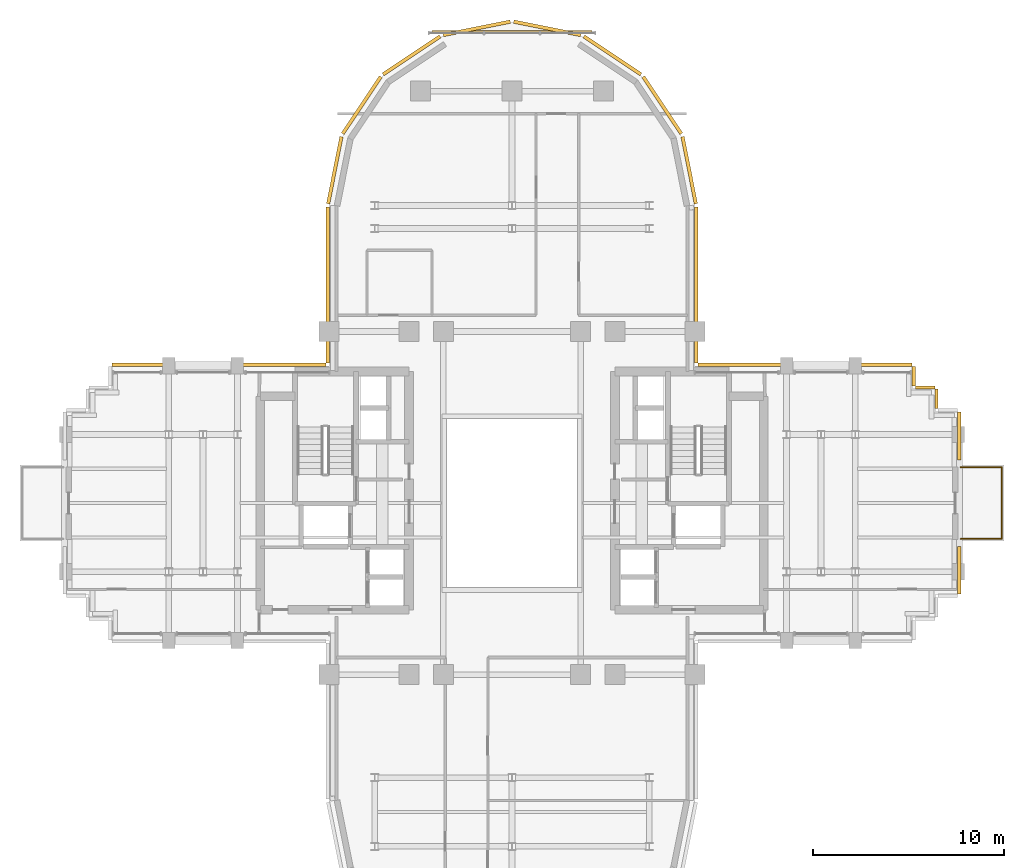
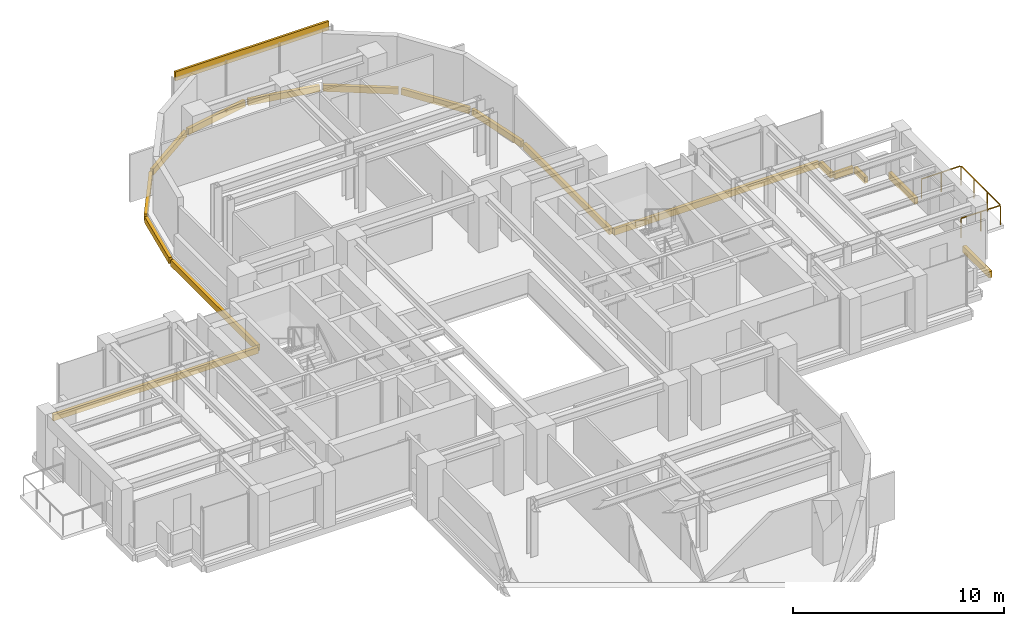
# One storey, part 13 of 13: 18 coverings, 1 railing.
"""IFC4 building model written with IfcOpenShell, lengths in metres."""

from ifc_helpers import new_model, si_unit, direction, frame, origin, origin_2d, place, context, subcontext, project, spatial, rectangle, extrude, source, transform, mapped, material, layer, layer_set, type_object, element, save


model = new_model("IFC4")

# Units and contexts
model_context = context("Model", 3, precision=1e-05, world=origin(), true_north=direction((0.0, 1.0)))
body_context = subcontext(model_context, "Body", "Model", "MODEL_VIEW")
ifc_project = project(units=[si_unit("LENGTHUNIT", "METRE"), si_unit("AREAUNIT", "SQUARE_METRE"), si_unit("VOLUMEUNIT", "CUBIC_METRE"), si_unit("PLANEANGLEUNIT", "RADIAN"), si_unit("MASSUNIT", "GRAM", prefix="KILO")], contexts=[model_context])

# Site, building, storey
site_placement = place(None, origin())
site = spatial("IfcSite", under=ifc_project, at=site_placement, CompositionType="ELEMENT")
building_placement = place(site_placement, origin())
building = spatial("IfcBuilding", under=site, at=building_placement, Name="Keilestroom Media Tower", CompositionType="ELEMENT")
storey_placement = place(building_placement, frame((0.0, 0.0, 100.60009765625)))
storey = spatial("IfcBuildingStorey", under=building, at=storey_placement, Name="L26", CompositionType="ELEMENT", Elevation=100.60009765625)

# Railing
ifc_material_1 = material(Name="Laminated Safety Glass & Stainless Steel", Category="steel")
railing_type = type_object("IfcRailingType", Name="Terrace-And-Atrium-Guard-Balustrade-GD-EXT", PredefinedType="BALUSTRADE", material=ifc_material_1)
railing_placement = place(storey_placement, frame((23.52001953125, -1.8798828125, 0.0)))
element("IfcRailing", 1, at=railing_placement, inside=storey, type_object=railing_type, Name="L26 Terrace Perimeter Guard L26-E", PredefinedType="BALUSTRADE", context=body_context, shape_type="SweptSolid", body=[
    extrude(rectangle(XDim=0.048095703125, YDim=0.048095703125, at=origin_2d()), frame((0.0, 0.0, 1.1259765625), z_axis=(1.0, 0.0, 0.0), x_axis=(0.0, 1.0, 0.0)), (0.0, 0.0, 1.0), 2.11181640625),
    extrude(rectangle(XDim=0.048095703125, YDim=0.048095703125, at=origin_2d()), frame((2.159912109375, 0.048095703125, 1.1259765625), z_axis=(0.0, 1.0, 0.0), x_axis=(-1.0, 0.0, 0.0)), (0.0, 0.0, 1.0), 3.66357421875),
    extrude(rectangle(XDim=0.048095703125, YDim=0.048095703125, at=origin_2d()), frame((2.11181640625, 3.759765625, 1.1259765625), z_axis=(-1.0, 0.0, 0.0), x_axis=(0.0, -1.0, 0.0)), (0.0, 0.0, 1.0), 2.11181640625),
    extrude(rectangle(XDim=0.0419921875, YDim=0.0419921875, at=origin_2d()), origin(), (0.0, 0.0, 1.0), 1.09375),
    extrude(rectangle(XDim=0.0419921875, YDim=0.0419921875, at=origin_2d()), frame((1.080078125, 0.0, 0.0)), (0.0, 0.0, 1.0), 1.09375),
    extrude(rectangle(XDim=0.0419921875, YDim=0.0419921875, at=origin_2d()), frame((2.159912109375, 0.0, 0.0)), (0.0, 0.0, 1.0), 1.09375),
    extrude(rectangle(XDim=0.0419921875, YDim=0.0419921875, at=origin_2d()), frame((2.159912109375, 1.253173828125, 0.0)), (0.0, 0.0, 1.0), 1.09375),
    extrude(rectangle(XDim=0.0419921875, YDim=0.0419921875, at=origin_2d()), frame((2.159912109375, 2.506591796875, 0.0)), (0.0, 0.0, 1.0), 1.09375),
    extrude(rectangle(XDim=0.0419921875, YDim=0.0419921875, at=origin_2d()), frame((2.159912109375, 3.759765625, 0.0)), (0.0, 0.0, 1.0), 1.09375),
    extrude(rectangle(XDim=0.0419921875, YDim=0.0419921875, at=origin_2d()), frame((1.080078125, 3.759765625, 0.0)), (0.0, 0.0, 1.0), 1.09375),
    extrude(rectangle(XDim=0.0419921875, YDim=0.0419921875, at=origin_2d()), frame((0.0, 3.759765625, 0.0)), (0.0, 0.0, 1.0), 1.09375),
])

# Coverings
ifc_material_2 = material(Name="Precast concrete C40/50", Category="concrete")
ifc_layer = layer(ifc_material_2, 0.1201171875)
ifc_layer_set = layer_set([ifc_layer], Name="Precast concrete C40/50")
covering_type = type_object("IfcCoveringType", Name="Exterior-Precast-Spandrel-Cladding-Panel-120", PredefinedType="CLADDING", material=ifc_layer_set)
shared_shape_1 = source(origin(), body_context, "Body", "SweptSolid", [
    extrude(rectangle(XDim=8.39990234375, YDim=0.1201171875, at=origin_2d()), origin(), (0.0, 0.0, 1.0), 0.52001953125),
])
covering_placement = place(storey_placement, frame((0.0, 24.719970703125, 2.68994140625), z_axis=(0.0, 0.0, 1.0), x_axis=(1.0, 0.0, 0.0)))
element("IfcCovering", 2, at=covering_placement, inside=storey, type_object=covering_type, Name="L26 Precast Spandrel Cladding N", PredefinedType="CLADDING", context=body_context, shape_type="MappedRepresentation", body=[
    mapped(shared_shape_1, transform((0.0, 0.0, 0.0), x_axis=(1.0, 0.0, 0.0), y_axis=(0.0, 1.0, 0.0), z_axis=(0.0, 0.0, 1.0), scale=1.0)),
])
shared_shape_2 = source(origin(), body_context, "Body", "SweptSolid", [
    extrude(rectangle(XDim=1.02001953125, YDim=0.179931640625, at=origin_2d()), origin(), (0.0, 0.0, 1.0), 0.360107421875),
])
for number, where, z_axis, x_axis, name in (
    (3, (21.06005859375, 6.659912109375, -0.5400390625), (0.0, 0.0, 1.0), (0.0, -1.0, 0.0), "L26 Precast Slab-Edge Fascia Cornice 39"),
    (4, (21.659912109375, 6.06005859375, -0.5400390625), (0.0, 0.0, 1.0), (1.0, 0.0, 0.0), "L26 Precast Slab-Edge Fascia Cornice 40"),
    (5, (22.260009765625, 5.4599609375, -0.5400390625), (0.0, 0.0, 1.0), (0.0, -1.0, 0.0), "L26 Precast Slab-Edge Fascia Cornice 41"),
):
    element("IfcCovering", number, at=place(storey_placement, frame(where, z_axis=z_axis, x_axis=x_axis)), inside=storey, type_object=covering_type, Name=name, PredefinedType="CLADDING", context=body_context, shape_type="MappedRepresentation", body=[
        mapped(shared_shape_2, transform((0.0, 0.0, 0.0), x_axis=(1.0, 0.0, 0.0), y_axis=(0.0, 1.0, 0.0), z_axis=(0.0, 0.0, 1.0), scale=1.0)),
    ])
shared_shape_3 = source(origin(), body_context, "Body", "SweptSolid", [
    extrude(rectangle(XDim=8.166015625, YDim=0.179931640625, at=origin_2d()), origin(), (0.0, 0.0, 1.0), 0.360107421875),
])
for number, where, z_axis, x_axis, name in (
    (6, (-9.659912109375, 11.43310546875, -0.5400390625), (0.0, 0.0, 1.0), (0.0, 1.0, 0.0), "L26 Precast Slab-Edge Fascia Cornice 28"),
    (7, (9.659912109375, 11.43310546875, -0.5400390625), (0.0, 0.0, 1.0), (0.0, -1.0, 0.0), "L26 Precast Slab-Edge Fascia Cornice 37"),
):
    element("IfcCovering", number, at=place(storey_placement, frame(where, z_axis=z_axis, x_axis=x_axis)), inside=storey, type_object=covering_type, Name=name, PredefinedType="CLADDING", context=body_context, shape_type="MappedRepresentation", body=[
        mapped(shared_shape_3, transform((0.0, 0.0, 0.0), x_axis=(1.0, 0.0, 0.0), y_axis=(0.0, 1.0, 0.0), z_axis=(0.0, 0.0, 1.0), scale=1.0)),
    ])
shared_shape_4 = source(origin(), body_context, "Body", "SweptSolid", [
    extrude(rectangle(XDim=3.58349609375, YDim=0.179931640625, at=origin_2d()), origin(), (0.0, 0.0, 1.0), 0.360107421875),
])
for number, where, z_axis, x_axis, name in (
    (8, (-9.29296875, 17.45166015625, -0.5400390625), (0.0, 0.0, 1.0), (0.195098880975, 0.980783577882, 0.0), "L26 Precast Slab-Edge Fascia Cornice 29"),
    (9, (9.29296875, 17.45166015625, -0.5400390625), (0.0, 0.0, 1.0), (0.195098880975, -0.980783577882, 0.0), "L26 Precast Slab-Edge Fascia Cornice 36"),
):
    element("IfcCovering", number, at=place(storey_placement, frame(where, z_axis=z_axis, x_axis=x_axis)), inside=storey, type_object=covering_type, Name=name, PredefinedType="CLADDING", context=body_context, shape_type="MappedRepresentation", body=[
        mapped(shared_shape_4, transform((0.0, 0.0, 0.0), x_axis=(1.0, 0.0, 0.0), y_axis=(0.0, 1.0, 0.0), z_axis=(0.0, 0.0, 1.0), scale=1.0)),
    ])
shared_shape_5 = source(origin(), body_context, "Body", "SweptSolid", [
    extrude(rectangle(XDim=3.589599609375, YDim=0.179931640625, at=origin_2d()), origin(), (0.0, 0.0, 1.0), 0.360107421875),
])
for number, where, z_axis, x_axis, name in (
    (10, (-7.878662109375, 20.8642578125, -0.5400390625), (0.0, 0.0, 1.0), (0.555574586577, 0.831466703332, 0.0), "L26 Precast Slab-Edge Fascia Cornice 30"),
    (11, (-5.264404296875, 23.478515625, -0.5400390625), (0.0, 0.0, 1.0), (0.831466703332, 0.555574586577, 0.0), "L26 Precast Slab-Edge Fascia Cornice 31"),
    (12, (-1.8486328125, 24.893310546875, -0.5400390625), (0.0, 0.0, 1.0), (0.980783577882, 0.195098880975, 0.0), "L26 Precast Slab-Edge Fascia Cornice 32"),
    (13, (1.8486328125, 24.893310546875, -0.5400390625), (0.0, 0.0, 1.0), (0.980783577882, -0.195098880975, 0.0), "L26 Precast Slab-Edge Fascia Cornice 33"),
    (14, (5.264404296875, 23.478515625, -0.5400390625), (0.0, 0.0, 1.0), (0.831466703332, -0.555574586577, 0.0), "L26 Precast Slab-Edge Fascia Cornice 34"),
    (15, (7.878662109375, 20.8642578125, -0.5400390625), (0.0, 0.0, 1.0), (0.555574586577, -0.831466703332, 0.0), "L26 Precast Slab-Edge Fascia Cornice 35"),
):
    element("IfcCovering", number, at=place(storey_placement, frame(where, z_axis=z_axis, x_axis=x_axis)), inside=storey, type_object=covering_type, Name=name, PredefinedType="CLADDING", context=body_context, shape_type="MappedRepresentation", body=[
        mapped(shared_shape_5, transform((0.0, 0.0, 0.0), x_axis=(1.0, 0.0, 0.0), y_axis=(0.0, 1.0, 0.0), z_axis=(0.0, 0.0, 1.0), scale=1.0)),
    ])
shared_shape_6 = source(origin(), body_context, "Body", "SweptSolid", [
    extrude(rectangle(XDim=2.5, YDim=0.179931640625, at=origin_2d()), origin(), (0.0, 0.0, 1.0), 0.360107421875),
])
for number, where, z_axis, x_axis, name in (
    (16, (23.4599609375, 3.52001953125, -0.5400390625), (0.0, 0.0, 1.0), (0.0, -1.0, 0.0), "L26 Precast Slab-Edge Fascia Cornice 43"),
    (17, (23.4599609375, -3.52001953125, -0.5400390625), (0.0, 0.0, 1.0), (0.0, -1.0, 0.0), "L26 Precast Slab-Edge Fascia Cornice 44"),
):
    element("IfcCovering", number, at=place(storey_placement, frame(where, z_axis=z_axis, x_axis=x_axis)), inside=storey, type_object=covering_type, Name=name, PredefinedType="CLADDING", context=body_context, shape_type="MappedRepresentation", body=[
        mapped(shared_shape_6, transform((0.0, 0.0, 0.0), x_axis=(1.0, 0.0, 0.0), y_axis=(0.0, 1.0, 0.0), z_axis=(0.0, 0.0, 1.0), scale=1.0)),
    ])
shared_shape_7 = source(origin(), body_context, "Body", "SweptSolid", [
    extrude(rectangle(XDim=11.219970703125, YDim=0.179931640625, at=origin_2d()), origin(), (0.0, 0.0, 1.0), 0.360107421875),
])
for number, where, z_axis, x_axis, name in (
    (18, (-15.360107421875, 7.260009765625, -0.5400390625), (0.0, 0.0, 1.0), (1.0, 0.0, 0.0), "L26 Precast Slab-Edge Fascia Cornice 27"),
    (19, (15.360107421875, 7.260009765625, -0.5400390625), (0.0, 0.0, 1.0), (1.0, 0.0, 0.0), "L26 Precast Slab-Edge Fascia Cornice 38"),
):
    element("IfcCovering", number, at=place(storey_placement, frame(where, z_axis=z_axis, x_axis=x_axis)), inside=storey, type_object=covering_type, Name=name, PredefinedType="CLADDING", context=body_context, shape_type="MappedRepresentation", body=[
        mapped(shared_shape_7, transform((0.0, 0.0, 0.0), x_axis=(1.0, 0.0, 0.0), y_axis=(0.0, 1.0, 0.0), z_axis=(0.0, 0.0, 1.0), scale=1.0)),
    ])

save(model, "model.ifc")
